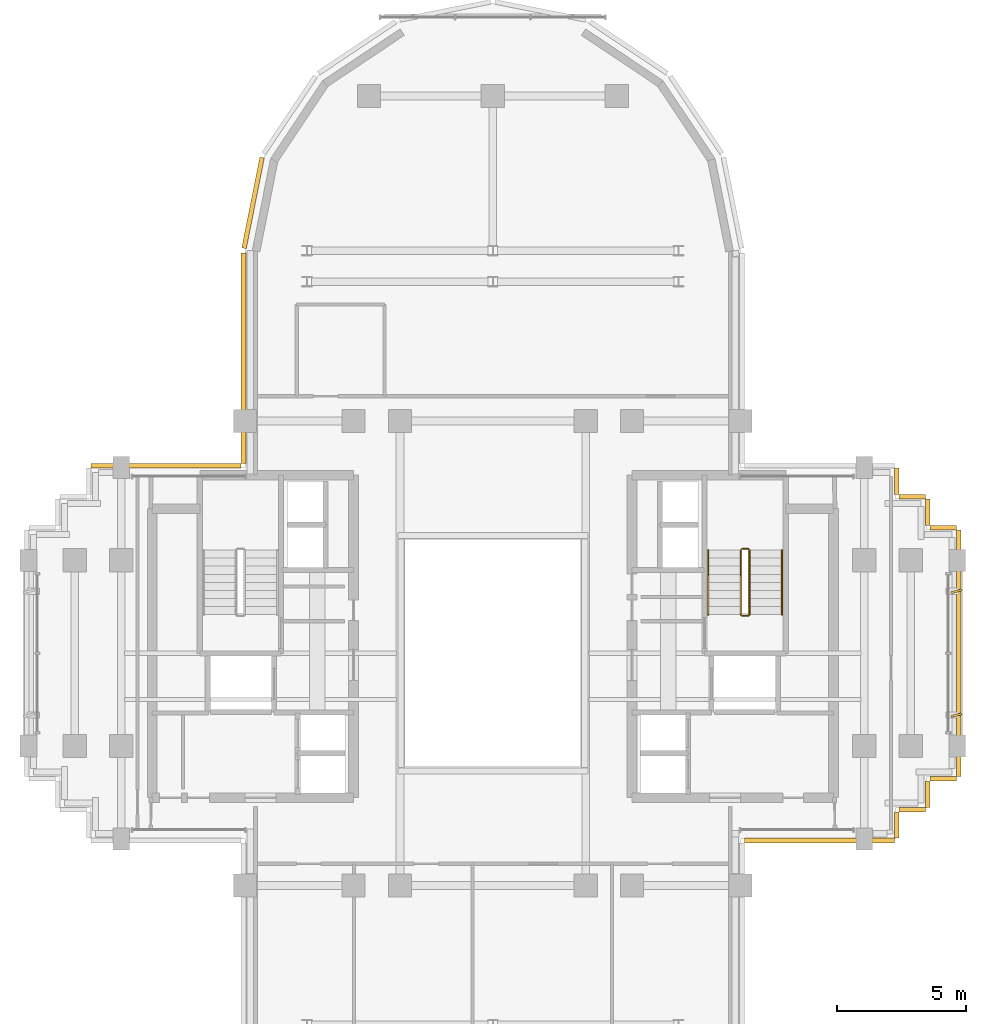
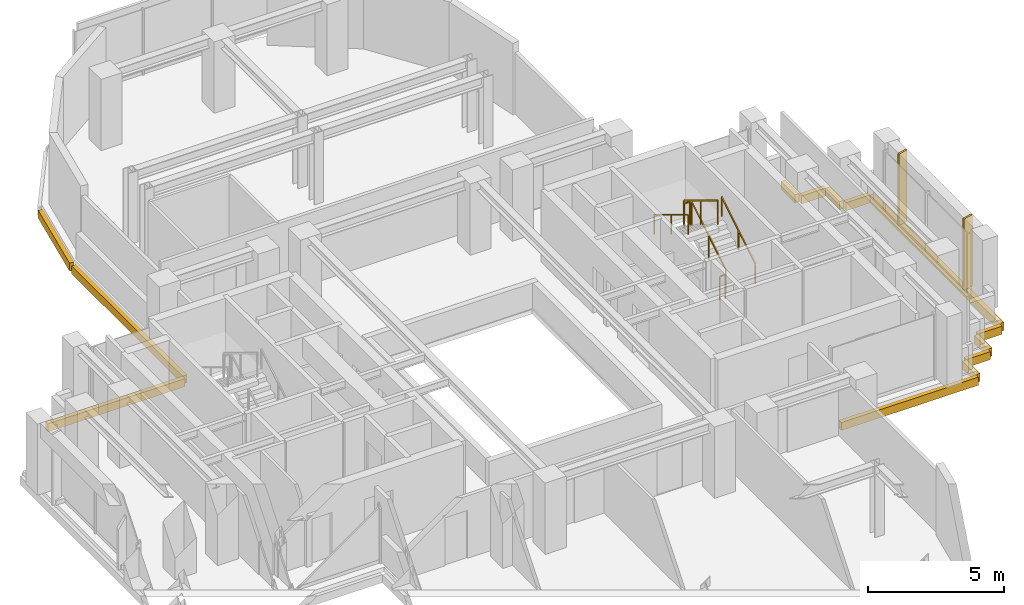
# One storey, part 10 of 11: 13 coverings, 6 railings, 2 shading devices.
"""IFC4 building model written with IfcOpenShell, lengths in metres."""

from ifc_helpers import new_model, si_unit, direction, frame, origin, origin_2d, place, context, subcontext, project, spatial, rectangle, extrude, source, transform, mapped, material, layer, layer_set, type_object, element, save


model = new_model("IFC4")

# Units and contexts
model_context = context("Model", 3, precision=1e-05, world=origin(), true_north=direction((0.0, 1.0)))
body_context = subcontext(model_context, "Body", "Model", "MODEL_VIEW")
ifc_project = project(units=[si_unit("LENGTHUNIT", "METRE"), si_unit("AREAUNIT", "SQUARE_METRE"), si_unit("VOLUMEUNIT", "CUBIC_METRE"), si_unit("PLANEANGLEUNIT", "RADIAN"), si_unit("MASSUNIT", "GRAM", prefix="KILO")], contexts=[model_context])

# Site, building, storey
site_placement = place(None, origin())
site = spatial("IfcSite", under=ifc_project, at=site_placement, CompositionType="ELEMENT")
building_placement = place(site_placement, origin())
building = spatial("IfcBuilding", under=site, at=building_placement, Name="Keilestroom Media Tower", CompositionType="ELEMENT")
storey_placement = place(building_placement, frame((0.0, 0.0, 163.800048828125)))
storey = spatial("IfcBuildingStorey", under=building, at=storey_placement, Name="L44", CompositionType="ELEMENT", Elevation=163.800048828125)

# Railings
ifc_material_1 = material(Name="Brushed Stainless Steel 1.4301", Category="steel")
railing_type_1 = type_object("IfcRailingType", Name="Stair-Pitch-Handrail-920", PredefinedType="HANDRAIL", material=ifc_material_1)
railing_1_placement = place(storey_placement, frame((11.2099609375, 1.5, 0.188720703125)))
element("IfcRailing", 1, at=railing_1_placement, inside=storey, type_object=railing_type_1, Name="L44 ST-2 stair handrail 1", PredefinedType="HANDRAIL", context=body_context, shape_type="SweptSolid", body=[
    extrude(rectangle(XDim=0.048095703125, YDim=0.048095703125, at=origin_2d()), frame((0.0, 0.0, 0.8759765625), z_axis=(0.0, 0.855433747314, 0.517912255074), x_axis=(-1.0, 0.0, 0.0)), (0.0, 0.0, 1.0), 2.91796875),
    extrude(rectangle(XDim=0.0419921875, YDim=0.0419921875, at=origin_2d()), origin(), (0.0, 0.0, 1.0), 0.84375),
    extrude(rectangle(XDim=0.0419921875, YDim=0.0419921875, at=origin_2d()), frame((0.0, 1.248046875, 0.755615234375)), (0.0, 0.0, 1.0), 0.84375),
    extrude(rectangle(XDim=0.0419921875, YDim=0.0419921875, at=origin_2d()), frame((0.0, 2.49609375, 1.51123046875)), (0.0, 0.0, 1.0), 0.84375),
])
railing_2_placement = place(storey_placement, frame((8.35009765625, 3.99609375, 1.888916015625)))
element("IfcRailing", 2, at=railing_2_placement, inside=storey, type_object=railing_type_1, Name="L44 ST-2 stair handrail 2", PredefinedType="HANDRAIL", context=body_context, shape_type="SweptSolid", body=[
    extrude(rectangle(XDim=0.048095703125, YDim=0.048095703125, at=origin_2d()), frame((0.0, 0.0, 0.8759765625), z_axis=(0.0, -0.855470815493, 0.517851024754), x_axis=(1.0, 0.0, 0.0)), (0.0, 0.0, 1.0), 2.917724609375),
    extrude(rectangle(XDim=0.0419921875, YDim=0.0419921875, at=origin_2d()), origin(), (0.0, 0.0, 1.0), 0.84375),
    extrude(rectangle(XDim=0.0419921875, YDim=0.0419921875, at=origin_2d()), frame((0.0, -1.248046875, 0.75537109375)), (0.0, 0.0, 1.0), 0.84375),
    extrude(rectangle(XDim=0.0419921875, YDim=0.0419921875, at=origin_2d()), frame((0.0, -2.49609375, 1.510986328125)), (0.0, 0.0, 1.0), 0.84375),
])
ifc_material_2 = material(Name="Painted Steel Balustrade", Category="steel")
railing_type_2 = type_object("IfcRailingType", Name="Stair-Well-And-Landing-Guard-1100", PredefinedType="GUARDRAIL", material=ifc_material_2)
railing_3_placement = place(storey_placement, frame((9.949951171875, 1.5, 0.188720703125)))
element("IfcRailing", 3, at=railing_3_placement, inside=storey, type_object=railing_type_2, Name="L44 ST-2 stair guard 1", PredefinedType="GUARDRAIL", context=body_context, shape_type="SweptSolid", body=[
    extrude(rectangle(XDim=0.048095703125, YDim=0.048095703125, at=origin_2d()), frame((0.0, 0.0, 1.076171875), z_axis=(0.0, 0.855433747314, 0.517912255074), x_axis=(-1.0, 0.0, 0.0)), (0.0, 0.0, 1.0), 2.91796875),
    extrude(rectangle(XDim=0.0419921875, YDim=0.0419921875, at=origin_2d()), origin(), (0.0, 0.0, 1.0), 1.0439453125),
    extrude(rectangle(XDim=0.0419921875, YDim=0.0419921875, at=origin_2d()), frame((0.0, 1.248046875, 0.755615234375)), (0.0, 0.0, 1.0), 1.0439453125),
    extrude(rectangle(XDim=0.0419921875, YDim=0.0419921875, at=origin_2d()), frame((0.0, 2.49609375, 1.51123046875)), (0.0, 0.0, 1.0), 1.0439453125),
])
railing_4_placement = place(storey_placement, frame((9.89990234375, 4.0458984375, 1.699951171875)))
element("IfcRailing", 4, at=railing_4_placement, inside=storey, type_object=railing_type_2, Name="L44 ST-2 stair guard 2", PredefinedType="GUARDRAIL", context=body_context, shape_type="SweptSolid", body=[
    extrude(rectangle(XDim=0.048095703125, YDim=0.048095703125, at=origin_2d()), frame((0.0, 0.0, 1.076171875), z_axis=(-1.0, 0.0, 0.0), x_axis=(0.0, -1.0, 0.0)), (0.0, 0.0, 1.0), 0.239990234375),
    extrude(rectangle(XDim=0.0419921875, YDim=0.0419921875, at=origin_2d()), origin(), (0.0, 0.0, 1.0), 1.0439453125),
    extrude(rectangle(XDim=0.0419921875, YDim=0.0419921875, at=origin_2d()), frame((-0.239990234375, 0.0, 0.0)), (0.0, 0.0, 1.0), 1.0439453125),
])
railing_5_placement = place(storey_placement, frame((9.610107421875, 3.99609375, 1.888916015625)))
element("IfcRailing", 5, at=railing_5_placement, inside=storey, type_object=railing_type_2, Name="L44 ST-2 stair guard 3", PredefinedType="GUARDRAIL", context=body_context, shape_type="SweptSolid", body=[
    extrude(rectangle(XDim=0.048095703125, YDim=0.048095703125, at=origin_2d()), frame((0.0, 0.0, 1.076171875), z_axis=(0.0, -0.855470815493, 0.517851024754), x_axis=(1.0, 0.0, 0.0)), (0.0, 0.0, 1.0), 2.917724609375),
    extrude(rectangle(XDim=0.0419921875, YDim=0.0419921875, at=origin_2d()), origin(), (0.0, 0.0, 1.0), 1.0439453125),
    extrude(rectangle(XDim=0.0419921875, YDim=0.0419921875, at=origin_2d()), frame((0.0, -1.248046875, 0.75537109375)), (0.0, 0.0, 1.0), 1.0439453125),
    extrude(rectangle(XDim=0.0419921875, YDim=0.0419921875, at=origin_2d()), frame((0.0, -2.49609375, 1.510986328125)), (0.0, 0.0, 1.0), 1.0439453125),
])
railing_6_placement = place(storey_placement, frame((9.89990234375, 1.449951171875, 0.0)))
element("IfcRailing", 6, at=railing_6_placement, inside=storey, type_object=railing_type_2, Name="L44 ST-2 stair guard 4", PredefinedType="GUARDRAIL", context=body_context, shape_type="SweptSolid", body=[
    extrude(rectangle(XDim=0.048095703125, YDim=0.048095703125, at=origin_2d()), frame((0.0, 0.0, 1.076171875), z_axis=(-1.0, 0.0, 0.0), x_axis=(0.0, -1.0, 0.0)), (0.0, 0.0, 1.0), 0.239990234375),
    extrude(rectangle(XDim=0.0419921875, YDim=0.0419921875, at=origin_2d()), origin(), (0.0, 0.0, 1.0), 1.0439453125),
    extrude(rectangle(XDim=0.0419921875, YDim=0.0419921875, at=origin_2d()), frame((-0.239990234375, 0.0, 0.0)), (0.0, 0.0, 1.0), 1.0439453125),
])

# Shading devices
ifc_material_3 = material(Name="Bronze Anodised Aluminium", Category="aluminium")
shading_device_type = type_object("IfcShadingDeviceType", Name="Facade-Vertical-Sunshade-Fin-SHD-1", PredefinedType="USERDEFINED", material=ifc_material_3)
shared_shape_1 = source(origin(), body_context, "Body", "SweptSolid", [
    extrude(rectangle(XDim=0.419921875, YDim=0.080078125, at=origin_2d()), origin(), (0.0, 0.0, 1.0), 3.199951171875),
])
for number, where, z_axis, x_axis, name in (
    (7, (17.969970703125, -2.39990234375, 0.0), (0.0, 0.0, 1.0), (0.971755430305, 0.235990219443, 0.0), "L44 Twisting Sunshade Fin SHD-1 059"),
    (8, (17.969970703125, 2.39990234375, 0.0), (0.0, 0.0, 1.0), (0.971755430305, 0.235990219443, 0.0), "L44 Twisting Sunshade Fin SHD-1 060"),
):
    element("IfcShadingDevice", number, at=place(storey_placement, frame(where, z_axis=z_axis, x_axis=x_axis)), inside=storey, type_object=shading_device_type, Name=name, ObjectType="SUNSHADE", PredefinedType="USERDEFINED", context=body_context, shape_type="MappedRepresentation", body=[
        mapped(shared_shape_1, transform((0.0, 0.0, 0.0), x_axis=(1.0, 0.0, 0.0), y_axis=(0.0, 1.0, 0.0), z_axis=(0.0, 0.0, 1.0), scale=1.0)),
    ])

# Coverings
ifc_material_4 = material(Name="Precast concrete C40/50", Category="concrete")
ifc_layer = layer(ifc_material_4, 0.1201171875)
ifc_layer_set = layer_set([ifc_layer], Name="Precast concrete C40/50")
covering_type = type_object("IfcCoveringType", Name="Exterior-Precast-Spandrel-Cladding-Panel-120", PredefinedType="CLADDING", material=ifc_layer_set)
shared_shape_2 = source(origin(), body_context, "Body", "SweptSolid", [
    extrude(rectangle(XDim=1.02001953125, YDim=0.179931640625, at=origin_2d()), origin(), (0.0, 0.0, 1.0), 0.360107421875),
])
for number, where, z_axis, x_axis, name in (
    (9, (17.4599609375, -4.860107421875, -0.5400390625), (0.0, 0.0, 1.0), (-1.0, 0.0, 0.0), "L44 Precast Slab-Edge Fascia Cornice 01"),
    (10, (16.860107421875, -5.4599609375, -0.5400390625), (0.0, 0.0, 1.0), (0.0, -1.0, 0.0), "L44 Precast Slab-Edge Fascia Cornice 02"),
    (11, (16.260009765625, -6.06005859375, -0.5400390625), (0.0, 0.0, 1.0), (-1.0, 0.0, 0.0), "L44 Precast Slab-Edge Fascia Cornice 03"),
    (12, (15.659912109375, -6.659912109375, -0.5400390625), (0.0, 0.0, 1.0), (0.0, -1.0, 0.0), "L44 Precast Slab-Edge Fascia Cornice 04"),
    (13, (15.659912109375, 6.659912109375, -0.5400390625), (0.0, 0.0, 1.0), (0.0, -1.0, 0.0), "L44 Precast Slab-Edge Fascia Cornice 38"),
    (14, (16.260009765625, 6.06005859375, -0.5400390625), (0.0, 0.0, 1.0), (1.0, 0.0, 0.0), "L44 Precast Slab-Edge Fascia Cornice 39"),
    (15, (16.860107421875, 5.4599609375, -0.5400390625), (0.0, 0.0, 1.0), (0.0, -1.0, 0.0), "L44 Precast Slab-Edge Fascia Cornice 40"),
    (16, (17.4599609375, 4.860107421875, -0.5400390625), (0.0, 0.0, 1.0), (1.0, 0.0, 0.0), "L44 Precast Slab-Edge Fascia Cornice 41"),
):
    element("IfcCovering", number, at=place(storey_placement, frame(where, z_axis=z_axis, x_axis=x_axis)), inside=storey, type_object=covering_type, Name=name, PredefinedType="CLADDING", context=body_context, shape_type="MappedRepresentation", body=[
        mapped(shared_shape_2, transform((0.0, 0.0, 0.0), x_axis=(1.0, 0.0, 0.0), y_axis=(0.0, 1.0, 0.0), z_axis=(0.0, 0.0, 1.0), scale=1.0)),
    ])
shared_shape_3 = source(origin(), body_context, "Body", "SweptSolid", [
    extrude(rectangle(XDim=8.166015625, YDim=0.179931640625, at=origin_2d()), origin(), (0.0, 0.0, 1.0), 0.360107421875),
])
covering_1_placement = place(storey_placement, frame((-9.659912109375, 11.43310546875, -0.5400390625), z_axis=(0.0, 0.0, 1.0), x_axis=(0.0, 1.0, 0.0)))
element("IfcCovering", 17, at=covering_1_placement, inside=storey, type_object=covering_type, Name="L44 Precast Slab-Edge Fascia Cornice 27", PredefinedType="CLADDING", context=body_context, shape_type="MappedRepresentation", body=[
    mapped(shared_shape_3, transform((0.0, 0.0, 0.0), x_axis=(1.0, 0.0, 0.0), y_axis=(0.0, 1.0, 0.0), z_axis=(0.0, 0.0, 1.0), scale=1.0)),
])
shared_shape_4 = source(origin(), body_context, "Body", "SweptSolid", [
    extrude(rectangle(XDim=3.58349609375, YDim=0.179931640625, at=origin_2d()), origin(), (0.0, 0.0, 1.0), 0.360107421875),
])
covering_2_placement = place(storey_placement, frame((-9.29296875, 17.45166015625, -0.5400390625), z_axis=(0.0, 0.0, 1.0), x_axis=(0.195098880975, 0.980783577882, 0.0)))
element("IfcCovering", 18, at=covering_2_placement, inside=storey, type_object=covering_type, Name="L44 Precast Slab-Edge Fascia Cornice 28", PredefinedType="CLADDING", context=body_context, shape_type="MappedRepresentation", body=[
    mapped(shared_shape_4, transform((0.0, 0.0, 0.0), x_axis=(1.0, 0.0, 0.0), y_axis=(0.0, 1.0, 0.0), z_axis=(0.0, 0.0, 1.0), scale=1.0)),
])
shared_shape_5 = source(origin(), body_context, "Body", "SweptSolid", [
    extrude(rectangle(XDim=9.5400390625, YDim=0.179931640625, at=origin_2d()), origin(), (0.0, 0.0, 1.0), 0.360107421875),
])
covering_3_placement = place(storey_placement, frame((18.06005859375, 0.0, -0.5400390625), z_axis=(0.0, 0.0, 1.0), x_axis=(0.0, -1.0, 0.0)))
element("IfcCovering", 19, at=covering_3_placement, inside=storey, type_object=covering_type, Name="L44 Precast Slab-Edge Fascia Cornice 42", PredefinedType="CLADDING", context=body_context, shape_type="MappedRepresentation", body=[
    mapped(shared_shape_5, transform((0.0, 0.0, 0.0), x_axis=(1.0, 0.0, 0.0), y_axis=(0.0, 1.0, 0.0), z_axis=(0.0, 0.0, 1.0), scale=1.0)),
])
shared_shape_6 = source(origin(), body_context, "Body", "SweptSolid", [
    extrude(rectangle(XDim=5.820068359375, YDim=0.179931640625, at=origin_2d()), origin(), (0.0, 0.0, 1.0), 0.360107421875),
])
for number, where, z_axis, x_axis, name in (
    (20, (12.659912109375, -7.260009765625, -0.5400390625), (0.0, 0.0, 1.0), (-1.0, 0.0, 0.0), "L44 Precast Slab-Edge Fascia Cornice 05"),
    (21, (-12.659912109375, 7.260009765625, -0.5400390625), (0.0, 0.0, 1.0), (1.0, 0.0, 0.0), "L44 Precast Slab-Edge Fascia Cornice 26"),
):
    element("IfcCovering", number, at=place(storey_placement, frame(where, z_axis=z_axis, x_axis=x_axis)), inside=storey, type_object=covering_type, Name=name, PredefinedType="CLADDING", context=body_context, shape_type="MappedRepresentation", body=[
        mapped(shared_shape_6, transform((0.0, 0.0, 0.0), x_axis=(1.0, 0.0, 0.0), y_axis=(0.0, 1.0, 0.0), z_axis=(0.0, 0.0, 1.0), scale=1.0)),
    ])

save(model, "model.ifc")
